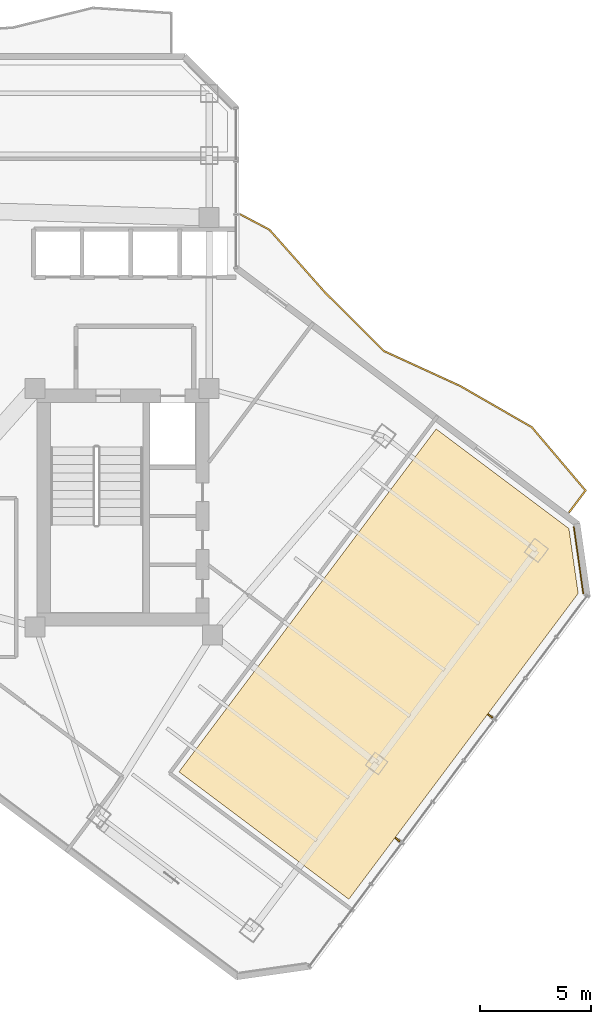
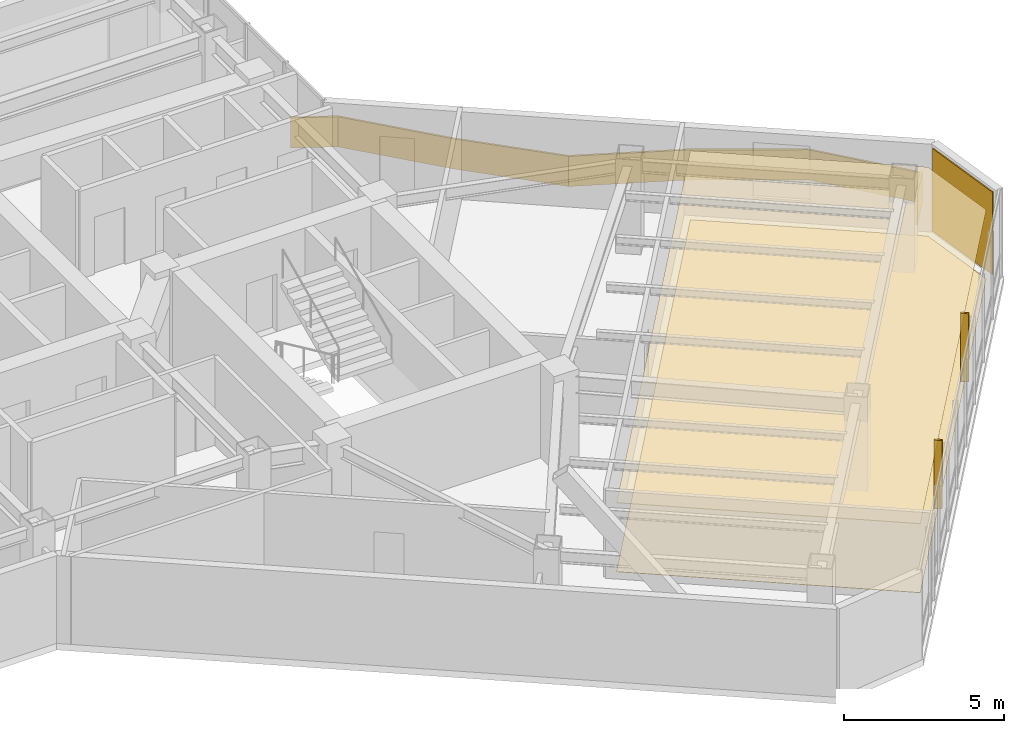
# One storey, part 27 of 28: 3 coverings, 2 shading devices, 1 railing.
"""IFC4 building model written with IfcOpenShell, lengths in metres."""

from ifc_helpers import new_model, si_unit, direction, frame, origin, origin_2d, place, context, subcontext, project, spatial, polyline, rectangle, outline, extrude, material, layer, layer_set, type_object, element, save


model = new_model("IFC4")

# Units and contexts
model_context = context("Model", 3, precision=1e-05, world=origin(), true_north=direction((0.0, 1.0)))
body_context = subcontext(model_context, "Body", "Model", "MODEL_VIEW")
ifc_project = project(units=[si_unit("LENGTHUNIT", "METRE"), si_unit("AREAUNIT", "SQUARE_METRE"), si_unit("VOLUMEUNIT", "CUBIC_METRE"), si_unit("PLANEANGLEUNIT", "RADIAN"), si_unit("MASSUNIT", "GRAM", prefix="KILO")], contexts=[model_context])

# Site, building, storey
site_placement = place(None, origin())
site = spatial("IfcSite", under=ifc_project, at=site_placement, CompositionType="ELEMENT")
building_placement = place(site_placement, origin())
building = spatial("IfcBuilding", under=site, at=building_placement, Name="Hatsunagi Terrace Concourse", CompositionType="ELEMENT")
storey_placement = place(building_placement, frame((0.0, 0.0, 170.85009765625)))
storey = spatial("IfcBuildingStorey", under=building, at=storey_placement, Name="L45", CompositionType="ELEMENT", Elevation=170.85009765625)

# Covering
ifc_material_1 = material(Name="Acoustic mineral board", Category="gypsum")
ifc_layer_1 = layer(ifc_material_1, 0.02001953125)
ifc_layer_set_1 = layer_set([ifc_layer_1], Name="AcousticMineralCeiling_20")
covering_type_1 = type_object("IfcCoveringType", Name="AcousticMineralCeiling_20", PredefinedType="CEILING", material=ifc_layer_set_1)
covering_1_placement = place(storey_placement, frame((0.0, 0.0, 2.6298828125)))
element("IfcCovering", 1, at=covering_1_placement, inside=storey, type_object=covering_type_1, Name="Suspended Ceiling L45-1", PredefinedType="CEILING", context=body_context, shape_type="SweptSolid", body=[
    extrude(outline(polyline([(59.865966796875, 28.988037109375), (53.882080078125, 33.47607421875), (42.2900390625, 18.02001953125), (49.946044921875, 12.278076171875), (60.283935546875, 26.06201171875), (59.865966796875, 28.988037109375)])), origin(), (0.0, 0.0, 1.0), 0.02001953125),
])

# Railing
ifc_material_2 = material(Name="Laminated Glass and Stainless Steel Guard", Category="steel")
ifc_layer_2 = layer(ifc_material_2, 0.070068359375)
ifc_layer_set_2 = layer_set([ifc_layer_2], Name="BalconyGlassGuardRail_1150")
railing_type = type_object("IfcRailingType", Name="BalconyGlassGuardRail_1150", PredefinedType="BALUSTRADE", material=ifc_layer_set_2)
railing_placement = place(storey_placement, origin())
element("IfcRailing", 2, at=railing_placement, inside=storey, type_object=railing_type, Name="Engawa Balcony Guard GRD-01 L45-BSE-1", PredefinedType="BALUSTRADE", context=body_context, shape_type="SweptSolid", body=[
    extrude(outline(polyline([(45.062255859375, 43.18408203125), (45.02978515625, 43.1220703125), (46.343994140625, 42.427978515625), (48.840576171875, 39.612060546875), (51.499755859375, 36.960693359375), (54.951904296875, 35.3798828125), (58.167236328125, 33.52978515625), (60.568115234375, 30.69873046875), (59.842041015625, 29.73095703125), (59.89794921875, 29.68896484375), (60.65771484375, 30.701416015625), (58.212646484375, 33.584228515625), (54.98388671875, 35.442138671875), (51.540283203125, 37.019287109375), (48.8916015625, 39.659912109375), (46.387939453125, 42.48388671875), (45.062255859375, 43.18408203125)])), origin(), (0.0, 0.0, 1.0), 1.14990234375),
])

# Covering
ifc_material_3 = material(Name="Hardwood timber", Category="wood")
ifc_layer_3 = layer(ifc_material_3, 0.014892578125)
ifc_layer_set_3 = layer_set([ifc_layer_3], Name="HardwoodTimberFlooring_15")
covering_type_2 = type_object("IfcCoveringType", Name="HardwoodTimberFlooring_15", PredefinedType="FLOORING", material=ifc_layer_set_3)
covering_2_placement = place(storey_placement, origin())
element("IfcCovering", 3, at=covering_2_placement, inside=storey, type_object=covering_type_2, Name="Finished Flooring L45-1", PredefinedType="FLOORING", context=body_context, shape_type="SweptSolid", body=[
    extrude(outline(polyline([(59.865966796875, 28.988037109375), (53.882080078125, 33.47607421875), (42.2900390625, 18.02001953125), (49.946044921875, 12.278076171875), (60.283935546875, 26.06201171875), (59.865966796875, 28.988037109375)])), origin(), (0.0, 0.0, 1.0), 0.014892578125),
])

# Shading devices
ifc_material_4 = material(Name="Extruded Unglazed Terracotta Baguette", Category="masonry")
shading_device_type = type_object("IfcShadingDeviceType", Name="TerracottaFinScreen_260x70", PredefinedType="USERDEFINED", material=ifc_material_4)
for number, where, z_axis, x_axis, name in (
    (4, (56.31591796875, 20.5390625, 0.849853515625), (0.0, 0.0, 1.0), (-0.599969314634, -0.800023013105, 0.0), "Terracotta Baguette Fin Screen SCR-01"),
    (5, (52.139892578125, 14.968994140625, 0.849853515625), (0.0, 0.0, 1.0), (-0.599969314634, -0.800023013105, 0.0), "Terracotta Baguette Fin Screen SCR-01"),
):
    element("IfcShadingDevice", number, at=place(storey_placement, frame(where, z_axis=z_axis, x_axis=x_axis)), inside=storey, type_object=shading_device_type, Name=name, ObjectType="SUNSHADE", PredefinedType="USERDEFINED", context=body_context, shape_type="SweptSolid", body=[
        extrude(rectangle(XDim=0.070068359375, YDim=0.260009765625, at=origin_2d()), origin(), (0.0, 0.0, 1.0), 2.60009765625),
    ])

# Covering
ifc_material_5 = material(Name="Unglazed Warm Terracotta Rainscreen Tile", Category="masonry")
ifc_layer_4 = layer(ifc_material_5, 0.044921875)
ifc_layer_set_4 = layer_set([ifc_layer_4], Name="TerracottaRainscreenCladding_45")
covering_type_3 = type_object("IfcCoveringType", Name="TerracottaRainscreenCladding_45", PredefinedType="CLADDING", material=ifc_layer_set_4)
covering_3_placement = place(storey_placement, frame((60.301025390625, 27.55810546875, 0.099853515625), z_axis=(0.0, 0.0, 1.0), x_axis=(0.141250262458, -0.989973920543, 0.0)))
element("IfcCovering", 6, at=covering_3_placement, inside=storey, type_object=covering_type_3, Name="Terracotta Rainscreen Cladding L45-02", PredefinedType="CLADDING", context=body_context, shape_type="SweptSolid", body=[
    extrude(rectangle(XDim=3.0380859375, YDim=0.044921875, at=origin_2d()), origin(), (0.0, 0.0, 1.0), 3.14990234375),
])

save(model, "model.ifc")
